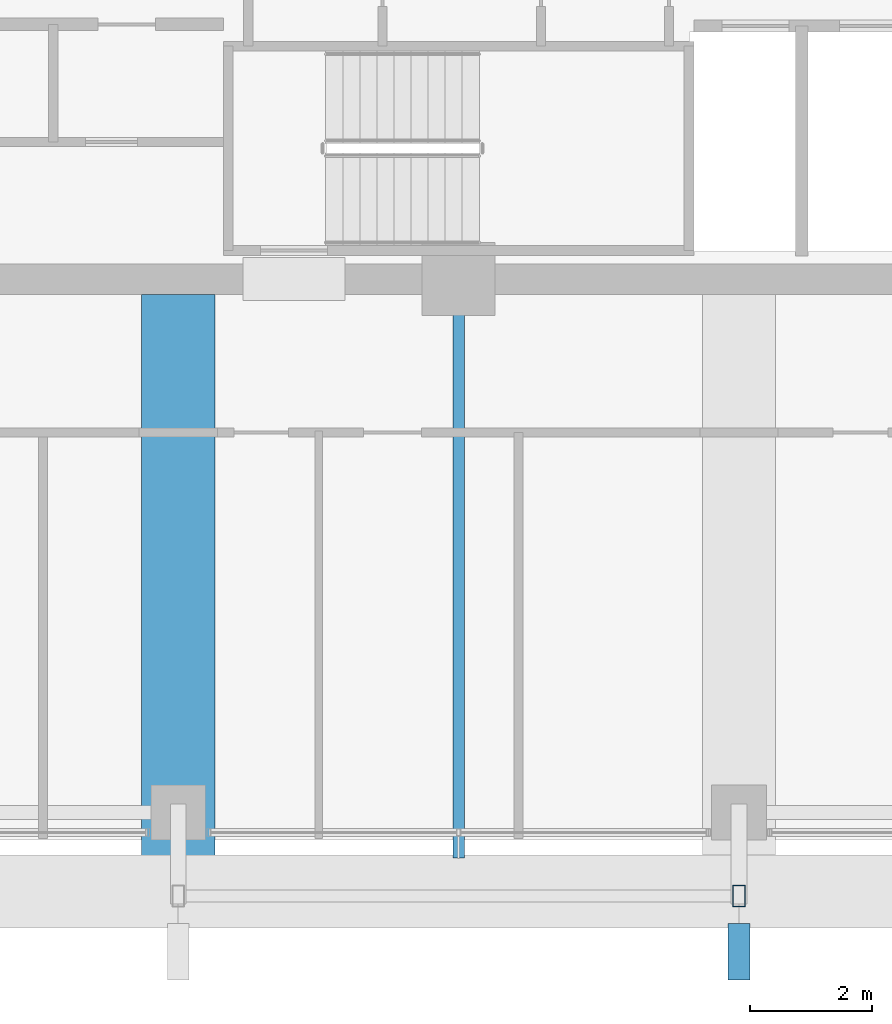
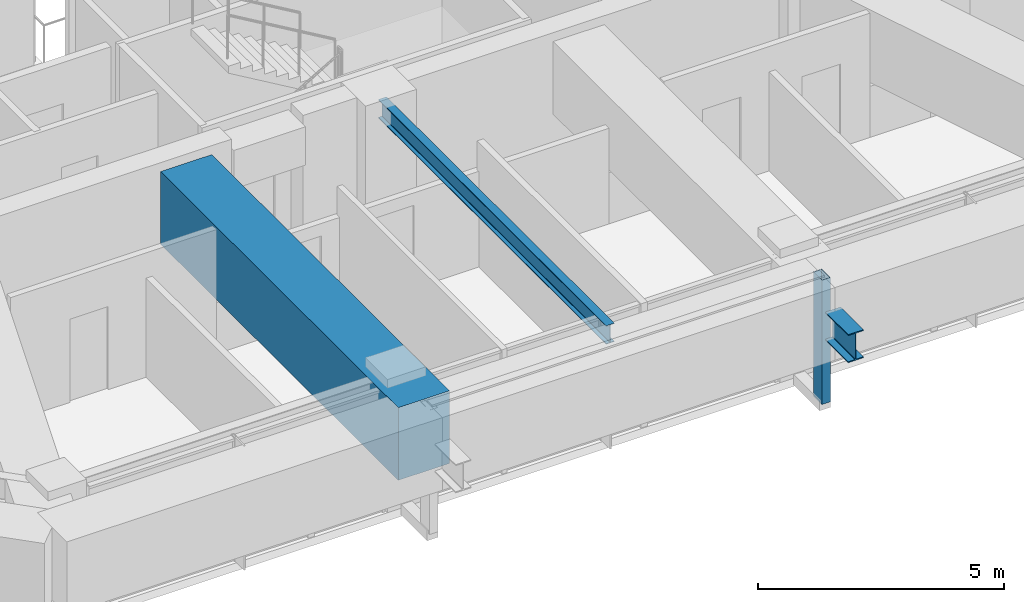
# One storey, part 6 of 40: 3 beams, 1 member.
"""IFC4 building model written with IfcOpenShell, lengths in metres."""

from ifc_helpers import new_model, si_unit, direction, frame, origin, origin_2d, place, context, subcontext, project, spatial, rectangle, hollow_rectangle, i_section, extrude, material, material_profile, profile_set, type_object, element, save


model = new_model("IFC4")

# Units and contexts
model_context = context("Model", 3, precision=1e-05, world=origin(), true_north=direction((0.0, 1.0)))
body_context = subcontext(model_context, "Body", "Model", "MODEL_VIEW")
ifc_project = project(units=[si_unit("LENGTHUNIT", "METRE"), si_unit("AREAUNIT", "SQUARE_METRE"), si_unit("VOLUMEUNIT", "CUBIC_METRE"), si_unit("PLANEANGLEUNIT", "RADIAN"), si_unit("MASSUNIT", "GRAM", prefix="KILO")], contexts=[model_context])

# Site, building, storey
site_placement = place(None, origin())
site = spatial("IfcSite", under=ifc_project, at=site_placement, CompositionType="ELEMENT")
building_placement = place(site_placement, origin())
building = spatial("IfcBuilding", under=site, at=building_placement, Name="Kolvaren Belvedere", CompositionType="ELEMENT")
storey_placement = place(building_placement, frame((0.0, 0.0, 170.10009765625)))
storey = spatial("IfcBuildingStorey", under=building, at=storey_placement, Name="L49", CompositionType="ELEMENT", Elevation=170.10009765625)

# Beams
ifc_material_1 = material(Name="Structural steel ASTM A992 Grade 50", Category="steel")
ifc_material_profile_1 = material_profile(ifc_material_1, i_section(OverallWidth=0.35498046875, OverallDepth=0.696044921875, WebThickness=0.015380859375, FlangeThickness=0.02490234375, FilletRadius=0.02197265625, at=origin_2d()), Name="W27X146")
ifc_profile_set_1 = profile_set([ifc_material_profile_1], Name="Structural steel ASTM A992 Grade 50")
beam_type_1 = type_object("IfcBeamType", Name="BM-CANT-BAL", PredefinedType="BEAM", material=ifc_profile_set_1)
beam_1_placement = place(storey_placement, frame((4.60009765625, -20.469970703125, 2.141845703125), z_axis=(0.0, -1.0, 0.0), x_axis=(1.0, 0.0, 0.0)))
element("IfcBeam", 1, at=beam_1_placement, inside=storey, type_object=beam_type_1, Name="L49 South Picture-Frame Column Corbel P", PredefinedType="BEAM", context=body_context, shape_type="SweptSolid", body=[
    extrude(i_section(OverallWidth=0.35498046875, OverallDepth=0.696044921875, WebThickness=0.015380859375, FlangeThickness=0.02490234375, FilletRadius=0.02197265625, at=origin_2d()), origin(), (0.0, 0.0, 1.0), 0.929931640625),
])
ifc_material_2 = material(Name="Structural steel ASTM A992 Grade 50", Category="steel")
ifc_material_profile_2 = material_profile(ifc_material_2, i_section(OverallWidth=0.19091796875, OverallDepth=0.4599609375, WebThickness=0.010009765625, FlangeThickness=0.01611328125, FilletRadius=0.014892578125, at=origin_2d()), Name="W18X55")
ifc_profile_set_2 = profile_set([ifc_material_profile_2], Name="Structural steel ASTM A992 Grade 50")
beam_type_2 = type_object("IfcBeamType", Name="BM-JOIST-W18X55", PredefinedType="BEAM", material=ifc_profile_set_2)
beam_2_placement = place(storey_placement, frame((0.0, -10.14990234375, 2.849853515625), z_axis=(0.0, -1.0, 0.0), x_axis=(1.0, 0.0, 0.0)))
element("IfcBeam", 2, at=beam_2_placement, inside=storey, type_object=beam_type_2, Name="L49 South Centre Floor Beam", PredefinedType="BEAM", context=body_context, shape_type="SweptSolid", body=[
    extrude(i_section(OverallWidth=0.19091796875, OverallDepth=0.4599609375, WebThickness=0.010009765625, FlangeThickness=0.01611328125, FilletRadius=0.014892578125, at=origin_2d()), origin(), (0.0, 0.0, 1.0), 9.25),
])
ifc_material_3 = material(Name="Concrete C50/60", Category="concrete")
ifc_material_profile_3 = material_profile(ifc_material_3, rectangle(XDim=1.199951171875, YDim=1.800048828125, at=origin_2d()), Name="RC 1200X1800")
ifc_profile_set_3 = profile_set([ifc_material_profile_3], Name="Concrete C50/60")
beam_type_3 = type_object("IfcBeamType", Name="BM-TG-1800", PredefinedType="BEAM", material=ifc_profile_set_3)
beam_3_placement = place(storey_placement, frame((-4.60009765625, -10.14990234375, 2.179931640625), z_axis=(0.0, -1.0, 0.0), x_axis=(1.0, 0.0, 0.0)))
element("IfcBeam", 3, at=beam_3_placement, inside=storey, type_object=beam_type_3, Name="L49 South Radial Girder M", PredefinedType="BEAM", context=body_context, shape_type="SweptSolid", body=[
    extrude(rectangle(XDim=1.199951171875, YDim=1.800048828125, at=origin_2d()), origin(), (0.0, 0.0, 1.0), 9.650146484375),
])

# Member
ifc_material_4 = material(Name="Anodised pale-metal aluminium AA 6063-T6", Category="aluminium")
ifc_material_profile_4 = material_profile(ifc_material_4, hollow_rectangle(XDim=0.199951171875, YDim=0.35009765625, WallThickness=0.007568359375, at=origin_2d()), Name="ALU-PF-350X200")
ifc_profile_set_4 = profile_set([ifc_material_profile_4], Name="Anodised pale-metal aluminium AA 6063-T6")
member_type = type_object("IfcMemberType", Name="PF-FRAME-350", PredefinedType="USERDEFINED", material=ifc_profile_set_4)
member_placement = place(storey_placement, frame((4.60009765625, -20.02001953125, 0.0), z_axis=(0.0, 0.0, 1.0), x_axis=(1.0, 0.0, 0.0)))
element("IfcMember", 4, at=member_placement, inside=storey, type_object=member_type, Name="L49 Outboard Picture-Frame Vertical S1", ObjectType="PICTURE FRAME FIN", PredefinedType="USERDEFINED", context=body_context, shape_type="SweptSolid", body=[
    extrude(hollow_rectangle(XDim=0.199951171875, YDim=0.35009765625, WallThickness=0.007568359375, at=origin_2d()), origin(), (0.0, 0.0, 1.0), 3.079833984375),
])

save(model, "model.ifc")
